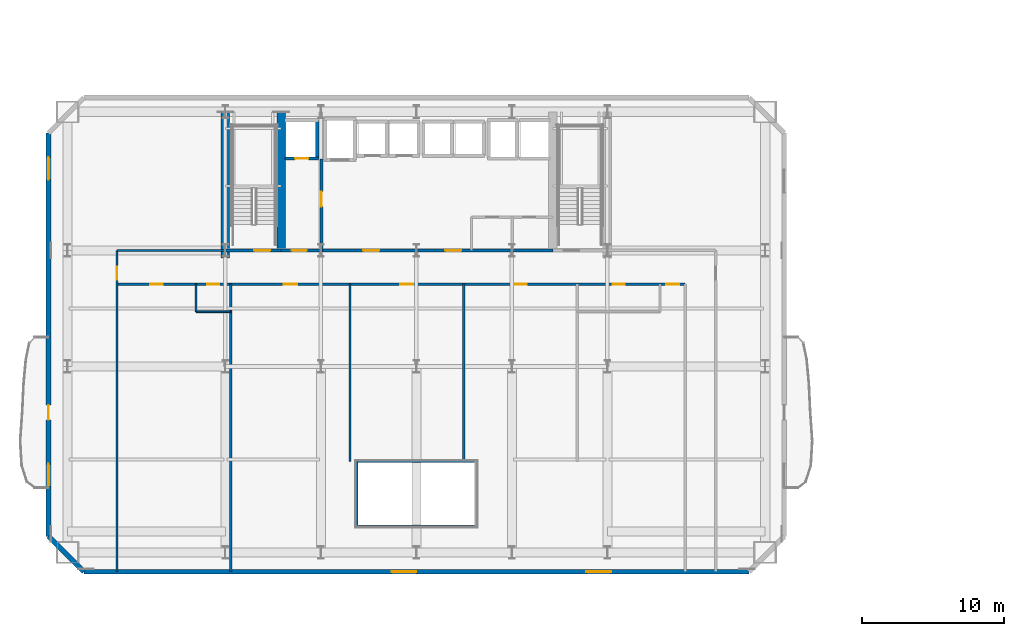
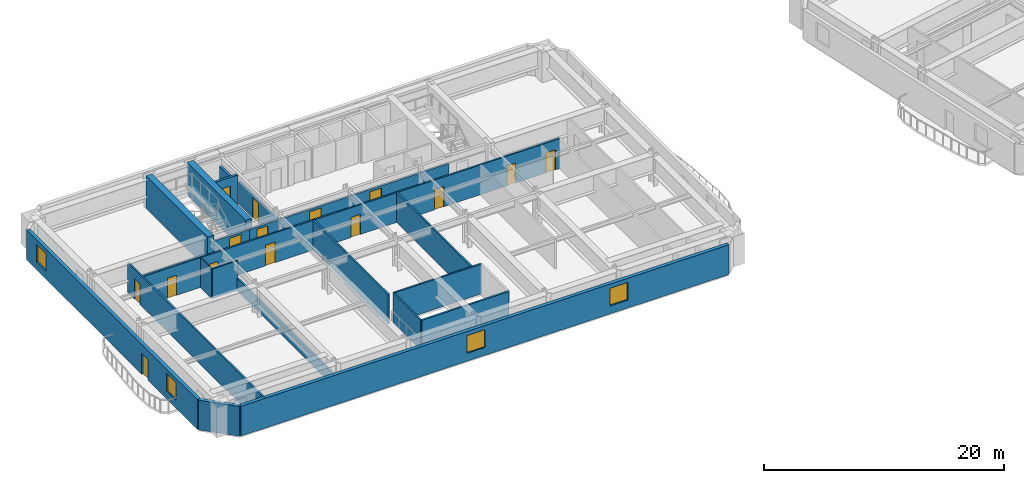
# One storey, part 7 of 18: 22 walls, 15 doors, 4 windows, 19 openings.
"""IFC4 building model written with IfcOpenShell, lengths in metres."""

import ifcopenshell
import ifcopenshell.guid

model = None  # the IFC model being written
_history = None  # IfcOwnerHistory: only IFC2X3 demands one
_inside = {}  # id of a spatial element -> (the spatial element, [elements in it])
_under = {}  # id of a project, library or spatial element -> (it, [spatial elements below it])
_declared = {}  # id of a project -> (the project, [libraries it declares])
_typed = {}  # id of a type object -> (the type object, [elements of that type])
_made_of = {}  # id of a material, layer set ... -> (it, [elements and type objects made of it])


def new_model(schema):
    """Start an empty IFC model of exactly this schema.

    Asked for "IFC4X3", IfcOpenShell would pick the latest addendum, in which some entities
    have other attributes; the version numbers below select the first issue.
    IFC2X3 requires an IfcOwnerHistory on every rooted entity: one is made here for all.
    """
    global model, _history
    if schema == "IFC4X3":
        model = ifcopenshell.file(schema_version=(4, 3, 0, 0))
    else:
        model = ifcopenshell.file(schema=schema)
    _inside.clear()
    _under.clear()
    _declared.clear()
    _typed.clear()
    _made_of.clear()
    _history = None
    if model.schema == "IFC2X3":
        org = make("IfcOrganization", Name="unknown")
        user = make(
            "IfcPersonAndOrganization",
            ThePerson=make("IfcPerson", FamilyName="unknown"),
            TheOrganization=org,
        )
        app = make(
            "IfcApplication",
            ApplicationDeveloper=org,
            Version="unknown",
            ApplicationFullName="unknown",
            ApplicationIdentifier="unknown",
        )
        _history = make(
            "IfcOwnerHistory",
            OwningUser=user,
            OwningApplication=app,
            ChangeAction="ADDED",
            CreationDate=0,
        )
    return model


def make(cls, **values):
    """One entity of the class cls with the attributes given. An attribute that is None is left unset."""
    return model.create_entity(
        cls, **{name: value for name, value in values.items() if value is not None}
    )


def rooted(cls, **values):
    """An entity with a GlobalId (a new one), such as an element, a storey or a relation."""
    return make(cls, GlobalId=ifcopenshell.guid.new(), OwnerHistory=_history, **values)


def si_unit(unit_type, name, prefix=None):
    """IfcSIUnit, for example si_unit("LENGTHUNIT", "METRE", prefix="MILLI")."""
    return make("IfcSIUnit", UnitType=unit_type, Prefix=prefix, Name=name)


def assignment(units):
    """IfcUnitAssignment: the units of a project."""
    return None if units is None else make("IfcUnitAssignment", Units=units)


def point(xyz):
    """IfcCartesianPoint."""
    return None if xyz is None else make("IfcCartesianPoint", Coordinates=xyz)


def direction(xyz):
    """IfcDirection."""
    return None if xyz is None else make("IfcDirection", DirectionRatios=xyz)


def frame(location, z_axis=None, x_axis=None):
    """IfcAxis2Placement3D, a coordinate frame: its origin and axes. An axis left out is left unset."""
    return make(
        "IfcAxis2Placement3D",
        Location=point(location),
        Axis=direction(z_axis),
        RefDirection=direction(x_axis),
    )


def frame_2d(location, x_axis=None):
    """IfcAxis2Placement2D, a coordinate frame in the plane: its origin and x axis."""
    return make(
        "IfcAxis2Placement2D", Location=point(location), RefDirection=direction(x_axis)
    )


def origin():
    """The frame at (0, 0, 0) with its axes left unset."""
    return frame((0.0, 0.0, 0.0))


def place(relative_to, where):
    """IfcLocalPlacement: puts the frame where relative to a parent placement (None: the world)."""
    return make(
        "IfcLocalPlacement", PlacementRelTo=relative_to, RelativePlacement=where
    )


def context(
    kind, dimensions, precision=None, world=None, true_north=None, identifier=None
):
    """IfcGeometricRepresentationContext, for example the 3D "Model" context."""
    return make(
        "IfcGeometricRepresentationContext",
        ContextIdentifier=identifier,
        ContextType=kind,
        CoordinateSpaceDimension=dimensions,
        Precision=precision,
        WorldCoordinateSystem=world,
        TrueNorth=true_north,
    )


def subcontext(parent, identifier, kind, view, scale=None):
    """IfcGeometricRepresentationSubContext, for example "Body" below "Model"."""
    return make(
        "IfcGeometricRepresentationSubContext",
        ContextIdentifier=identifier,
        ContextType=kind,
        ParentContext=parent,
        TargetScale=scale,
        TargetView=view,
    )


def project(units=None, contexts=None):
    """IfcProject with its units and contexts."""
    return rooted(
        "IfcProject",
        Name="project",
        RepresentationContexts=contexts,
        UnitsInContext=assignment(units),
    )


def spatial(cls, under=None, at=None, **own):
    """A site, building, storey or space (cls), placed at a placement, below another one or the project."""
    s = rooted(cls, ObjectPlacement=at, **own)
    if under is not None:
        _under.setdefault(under.id(), (under, []))[1].append(s)
    return s


def profile(cls, at=None, kind="AREA", **sizes):
    """A parametric profile (cls). Its sizes go by their IFC names, for example OverallWidth=200.0."""
    return make(cls, ProfileType=kind, Position=at, **sizes)


def rectangle(**sizes):
    """IfcRectangleProfileDef."""
    return profile("IfcRectangleProfileDef", **sizes)


def extrude(swept, where, along, depth):
    """IfcExtrudedAreaSolid: the profile swept, set in the frame where, extruded along a direction by depth."""
    return make(
        "IfcExtrudedAreaSolid",
        SweptArea=swept,
        Position=where,
        ExtrudedDirection=direction(along),
        Depth=depth,
    )


def shape(context_of_items, identifier, shape_type, items):
    """IfcShapeRepresentation: the items that make up one representation, for example the "Body"."""
    return make(
        "IfcShapeRepresentation",
        ContextOfItems=context_of_items,
        RepresentationIdentifier=identifier,
        RepresentationType=shape_type,
        Items=items,
    )


def material(Name=None, Category=None):
    """IfcMaterial."""
    return make("IfcMaterial", Name=Name, Category=Category)


def layer(
    of_material, thickness, ventilated=None, Name=None, Category=None, Priority=None
):
    """IfcMaterialLayer: one layer of a wall or slab, of a material (None: an air gap)."""
    return make(
        "IfcMaterialLayer",
        Material=of_material,
        LayerThickness=thickness,
        IsVentilated=ventilated,
        Name=Name,
        Category=Category,
        Priority=Priority,
    )


def layer_set(layers, Name=None):
    """IfcMaterialLayerSet."""
    return make("IfcMaterialLayerSet", MaterialLayers=layers, LayerSetName=Name)


def made_of(thing, what):
    """Note that an element or type object is made of a material, layer set ...; save() writes the relation."""
    if what is not None:
        _made_of.setdefault(what.id(), (what, []))[1].append(thing)
    return thing


def type_object(cls, material=None, **own):
    """A type object (cls), such as IfcWallType, which elements share."""
    return made_of(rooted(cls, **own), material)


def element(
    cls,
    number,
    at=None,
    inside=None,
    cuts=None,
    type_object=None,
    material=None,
    context=None,
    identifier="Body",
    shape_type=None,
    held_by="IfcProductDefinitionShape",
    body=None,
    shapes=None,
    **own,
):
    """One element of the class cls, such as IfcWall. Its Tag is "e" and its number.

    at: its placement. inside: the storey or other place that contains it. cuts: it is an
    opening in that element (IfcRelVoidsElement). A single representation is given by context,
    identifier, shape_type and body (its items); several are given by shapes. held_by: the class
    of the entity that holds the representations. save() writes the other relations.
    """
    e = rooted(cls, Tag="e%d" % number, ObjectPlacement=at, **own)
    if body is not None:
        shapes = [shape(context, identifier, shape_type, body)]
    if shapes is not None:
        e.Representation = make(held_by, Representations=shapes)
    if inside is not None:
        _inside.setdefault(inside.id(), (inside, []))[1].append(e)
    if cuts is not None:
        rooted(
            "IfcRelVoidsElement", RelatingBuildingElement=cuts, RelatedOpeningElement=e
        )
    if type_object is not None:
        _typed.setdefault(type_object.id(), (type_object, []))[1].append(e)
    return made_of(e, material)


def fill(opening, filler):
    """IfcRelFillsElement: the door or window that sits in an opening."""
    return rooted(
        "IfcRelFillsElement",
        RelatingOpeningElement=opening,
        RelatedBuildingElement=filler,
    )


def aggregate(whole, parts):
    """IfcRelAggregates: a whole, such as a stair, and the parts it consists of."""
    return rooted("IfcRelAggregates", RelatingObject=whole, RelatedObjects=parts)


def save(model, path):
    """Write the relations noted so far, then the file.

    IfcRelAggregates (storeys below a building ...), IfcRelContainedInSpatialStructure (elements
    in a storey), IfcRelDefinesByType, IfcRelAssociatesMaterial and IfcRelDeclares: one each for
    every whole, place, type object, material and project.
    """
    for whole, parts in _under.values():
        aggregate(whole, parts)
    for where, things in _inside.values():
        rooted(
            "IfcRelContainedInSpatialStructure",
            RelatedElements=things,
            RelatingStructure=where,
        )
    for kind, things in _typed.values():
        rooted("IfcRelDefinesByType", RelatedObjects=things, RelatingType=kind)
    for what, things in _made_of.values():
        rooted("IfcRelAssociatesMaterial", RelatedObjects=things, RelatingMaterial=what)
    for by, libraries in _declared.values():
        rooted("IfcRelDeclares", RelatingContext=by, RelatedDefinitions=libraries)
    model.write(path)


model = new_model("IFC4")

# Units and contexts
model_context = context("Model", 3, precision=1e-05, world=origin(), true_north=direction((0.0, 1.0)))
body_context = subcontext(model_context, "Body", "Model", "MODEL_VIEW")
ifc_project = project(units=[si_unit("LENGTHUNIT", "METRE"), si_unit("AREAUNIT", "SQUARE_METRE"), si_unit("VOLUMEUNIT", "CUBIC_METRE"), si_unit("PLANEANGLEUNIT", "RADIAN"), si_unit("MASSUNIT", "GRAM", prefix="KILO")], contexts=[model_context])

# Site, building, storey
site_placement = place(None, origin())
site = spatial("IfcSite", under=ifc_project, at=site_placement, CompositionType="ELEMENT")
building_placement = place(site_placement, origin())
building = spatial("IfcBuilding", under=site, at=building_placement, Name="Haevon Station Towers", CompositionType="ELEMENT")
storey_placement = place(building_placement, frame((0.0, 0.0, 66.89990234375)))
storey = spatial("IfcBuildingStorey", under=building, at=storey_placement, Name="L17", CompositionType="ELEMENT", Elevation=66.89990234375)

# Walls
ifc_material_1 = material(Name="Gypsum board on steel stud", Category="steel")
ifc_layer_1 = layer(ifc_material_1, 0.179931640625)
ifc_layer_set_1 = layer_set([ifc_layer_1], Name="Gypsum board on steel stud")
wall_type_1 = type_object("IfcWallType", Name="WL-ACU180", PredefinedType="PARTITIONING", material=ifc_layer_set_1)
wall_1_placement = place(storey_placement, frame((33.300048828125, 18.699951171875, 0.0), z_axis=(0.0, 0.0, 1.0), x_axis=(1.0, 0.0, 0.0)))
element("IfcWall", 1, at=wall_1_placement, inside=storey, type_object=wall_type_1, Name="WL-T1PT-L17-06", PredefinedType="PARTITIONING", context=body_context, shape_type="SweptSolid", body=[
    extrude(rectangle(XDim=8.39990234375, YDim=0.179931640625, at=frame_2d((4.199951171875, 0.0))), origin(), (0.0, 0.0, 1.0), 3.030029296875),
])
wall_2_placement = place(storey_placement, frame((24.3798828125, 15.5, 0.0), z_axis=(0.0, 0.0, 1.0), x_axis=(0.0, 1.0, 0.0)))
element("IfcWall", 2, at=wall_2_placement, inside=storey, type_object=wall_type_1, Name="WL-T1PT-L17-12", PredefinedType="PARTITIONING", context=body_context, shape_type="SweptSolid", body=[
    extrude(rectangle(XDim=20.320068359375, YDim=0.179931640625, at=frame_2d((10.16015625, 0.0))), origin(), (0.0, 0.0, 1.0), 1.22998046875),
])

# Wall, opening, door
ifc_layer_2 = layer(ifc_material_1, 0.199951171875)
ifc_layer_set_2 = layer_set([ifc_layer_2], Name="Gypsum board on steel stud")
wall_type_2 = type_object("IfcWallType", Name="WL-COR200", PredefinedType="PARTITIONING", material=ifc_layer_set_2)
wall_3_placement = place(storey_placement, frame((24.0, 38.199951171875, 0.0), z_axis=(0.0, 0.0, 1.0), x_axis=(1.0, 0.0, 0.0)))
wall_3 = element("IfcWall", 3, at=wall_3_placement, inside=storey, type_object=wall_type_2, Name="WL-ST-ST1-L17", PredefinedType="PARTITIONING", context=body_context, shape_type="SweptSolid", body=[
    extrude(rectangle(XDim=3.949951171875, YDim=0.199951171875, at=frame_2d((1.97509765625, 0.0))), origin(), (0.0, 0.0, 1.0), 2.330078125),
])
opening_1_placement = place(wall_3_placement, frame((2.050048828125, 0.0, 0.0)))
opening_1 = element("IfcOpeningElement", 4, at=opening_1_placement, cuts=wall_3, Name="Opening DR-ST-ST1-L17", PredefinedType="OPENING", context=body_context, shape_type="SweptSolid", body=[
    extrude(rectangle(XDim=1.1201171875, YDim=2.10009765625, at=frame_2d((0.56005859375, 1.050048828125))), frame((0.0, 0.10986328125, 0.0), z_axis=(0.0, -1.0, 0.0), x_axis=(1.0, 0.0, 0.0)), (0.0, 0.0, 1.0), 0.219970703125),
])
ifc_material_2 = material(Name="Engineered oak timber", Category="wood")
door_type_1 = type_object("IfcDoorType", Name="DR-ST-1120", OperationType="NOTDEFINED", PredefinedType="DOOR", material=ifc_material_2)
door_1_placement = place(opening_1_placement, origin())
door_1 = element("IfcDoor", 5, at=door_1_placement, inside=storey, type_object=door_type_1, Name="L17 Escape Stair ST1 Fire Door", OperationType="SINGLE_SWING_LEFT", OverallHeight=2.10009765625, OverallWidth=1.1201171875, PredefinedType="DOOR", context=body_context, shape_type="SweptSolid", body=[
    extrude(rectangle(XDim=1.1201171875, YDim=2.10009765625, at=frame_2d((0.56005859375, 1.050048828125))), frame((0.0, 0.02490234375, 0.0), z_axis=(0.0, -1.0, 0.0), x_axis=(1.0, 0.0, 0.0)), (0.0, 0.0, 1.0), 0.050048828125),
])
fill(opening_1, door_1)

wall_4_placement = place(storey_placement, frame((30.800048828125, 38.199951171875, 0.0), z_axis=(0.0, 0.0, 1.0), x_axis=(0.0, 1.0, 0.0)))
wall_4 = element("IfcWall", 6, at=wall_4_placement, inside=storey, type_object=wall_type_2, Name="WL-T1FFL-L17-E", PredefinedType="PARTITIONING", context=body_context, shape_type="SweptSolid", body=[
    extrude(rectangle(XDim=6.449951171875, YDim=0.199951171875, at=frame_2d((3.22509765625, 0.0))), origin(), (0.0, 0.0, 1.0), 2.330078125),
])
opening_2_placement = place(wall_4_placement, frame((3.10009765625, 0.0, 0.0)))
opening_2 = element("IfcOpeningElement", 7, at=opening_2_placement, cuts=wall_4, Name="Opening DR-T1FFL-L17-E", PredefinedType="OPENING", context=body_context, shape_type="SweptSolid", body=[
    extrude(rectangle(XDim=1.050048828125, YDim=2.10009765625, at=frame_2d((0.52490234375, 1.050048828125))), frame((0.0, 0.10986328125, 0.0), z_axis=(0.0, -1.0, 0.0), x_axis=(1.0, 0.0, 0.0)), (0.0, 0.0, 1.0), 0.219970703125),
])
door_type_2 = type_object("IfcDoorType", Name="DR-FD60-1050", OperationType="NOTDEFINED", PredefinedType="DOOR", material=ifc_material_2)
door_2_placement = place(opening_2_placement, origin())
door_2 = element("IfcDoor", 8, at=door_2_placement, inside=storey, type_object=door_type_2, Name="L17 Tower 1 Firefighting Lift Lobby Door E", OperationType="SINGLE_SWING_LEFT", OverallHeight=2.10009765625, OverallWidth=1.050048828125, PredefinedType="DOOR", context=body_context, shape_type="SweptSolid", body=[
    extrude(rectangle(XDim=1.050048828125, YDim=2.10009765625, at=frame_2d((0.52490234375, 1.050048828125))), frame((0.0, 0.02490234375, 0.0), z_axis=(0.0, -1.0, 0.0), x_axis=(1.0, 0.0, 0.0)), (0.0, 0.0, 1.0), 0.050048828125),
])
fill(opening_2, door_2)

wall_5_placement = place(storey_placement, frame((27.949951171875, 38.199951171875, 0.0), z_axis=(0.0, 0.0, 1.0), x_axis=(1.0, 0.0, 0.0)))
wall_5 = element("IfcWall", 9, at=wall_5_placement, inside=storey, type_object=wall_type_2, Name="WL-T1FFL-L17-S", PredefinedType="PARTITIONING", context=body_context, shape_type="SweptSolid", body=[
    extrude(rectangle(XDim=2.85009765625, YDim=0.199951171875, at=frame_2d((1.425048828125, 0.0))), origin(), (0.0, 0.0, 1.0), 2.330078125),
])
opening_3_placement = place(wall_5_placement, frame((0.75, 0.0, 0.0)))
opening_3 = element("IfcOpeningElement", 10, at=opening_3_placement, cuts=wall_5, Name="Opening DR-T1FFL-L17-S", PredefinedType="OPENING", context=body_context, shape_type="SweptSolid", body=[
    extrude(rectangle(XDim=1.050048828125, YDim=2.10009765625, at=frame_2d((0.52490234375, 1.050048828125))), frame((0.0, 0.10986328125, 0.0), z_axis=(0.0, -1.0, 0.0), x_axis=(1.0, 0.0, 0.0)), (0.0, 0.0, 1.0), 0.219970703125),
])
door_3_placement = place(opening_3_placement, origin())
door_3 = element("IfcDoor", 11, at=door_3_placement, inside=storey, type_object=door_type_2, Name="L17 Tower 1 Firefighting Lift Lobby Door S", OperationType="SINGLE_SWING_RIGHT", OverallHeight=2.10009765625, OverallWidth=1.050048828125, PredefinedType="DOOR", context=body_context, shape_type="SweptSolid", body=[
    extrude(rectangle(XDim=1.050048828125, YDim=2.10009765625, at=frame_2d((0.52490234375, 1.050048828125))), frame((0.0, 0.02490234375, 0.0), z_axis=(0.0, -1.0, 0.0), x_axis=(1.0, 0.0, 0.0)), (0.0, 0.0, 1.0), 0.050048828125),
])
fill(opening_3, door_3)

# Wall, openings, doors
wall_6_placement = place(storey_placement, frame((30.800048828125, 38.199951171875, 0.0), z_axis=(0.0, 0.0, 1.0), x_axis=(1.0, 0.0, 0.0)))
wall_6 = element("IfcWall", 12, at=wall_6_placement, inside=storey, type_object=wall_type_2, Name="WL-T1CLB-L17", PredefinedType="PARTITIONING", context=body_context, shape_type="SweptSolid", body=[
    extrude(rectangle(XDim=16.349853515625, YDim=0.199951171875, at=frame_2d((8.1748046875, 0.0))), origin(), (0.0, 0.0, 1.0), 2.330078125),
])
opening_4_placement = place(wall_6_placement, frame((2.949951171875, 0.0, 0.0)))
opening_4 = element("IfcOpeningElement", 13, at=opening_4_placement, cuts=wall_6, Name="Opening DR-T1CLB-L17-1", PredefinedType="OPENING", context=body_context, shape_type="SweptSolid", body=[
    extrude(rectangle(XDim=1.1201171875, YDim=2.10009765625, at=frame_2d((0.56005859375, 1.050048828125))), frame((0.0, 0.10986328125, 0.0), z_axis=(0.0, -1.0, 0.0), x_axis=(1.0, 0.0, 0.0)), (0.0, 0.0, 1.0), 0.219970703125),
])
opening_5_placement = place(wall_6_placement, frame((8.75, 0.0, 0.0)))
opening_5 = element("IfcOpeningElement", 14, at=opening_5_placement, cuts=wall_6, Name="Opening DR-T1CLB-L17-2", PredefinedType="OPENING", context=body_context, shape_type="SweptSolid", body=[
    extrude(rectangle(XDim=1.1201171875, YDim=2.10009765625, at=frame_2d((0.56005859375, 1.050048828125))), frame((0.0, 0.10986328125, 0.0), z_axis=(0.0, -1.0, 0.0), x_axis=(1.0, 0.0, 0.0)), (0.0, 0.0, 1.0), 0.219970703125),
])
door_4_placement = place(opening_4_placement, origin())
door_4 = element("IfcDoor", 15, at=door_4_placement, inside=storey, type_object=door_type_1, Name="L17 Tower 1 Core Lift Lobby Door 1", OperationType="SINGLE_SWING_LEFT", OverallHeight=2.10009765625, OverallWidth=1.1201171875, PredefinedType="DOOR", context=body_context, shape_type="SweptSolid", body=[
    extrude(rectangle(XDim=1.1201171875, YDim=2.10009765625, at=frame_2d((0.56005859375, 1.050048828125))), frame((0.0, 0.02490234375, 0.0), z_axis=(0.0, -1.0, 0.0), x_axis=(1.0, 0.0, 0.0)), (0.0, 0.0, 1.0), 0.050048828125),
])
fill(opening_4, door_4)
door_5_placement = place(opening_5_placement, origin())
door_5 = element("IfcDoor", 16, at=door_5_placement, inside=storey, type_object=door_type_1, Name="L17 Tower 1 Core Lift Lobby Door 2", OperationType="SINGLE_SWING_RIGHT", OverallHeight=2.10009765625, OverallWidth=1.1201171875, PredefinedType="DOOR", context=body_context, shape_type="SweptSolid", body=[
    extrude(rectangle(XDim=1.1201171875, YDim=2.10009765625, at=frame_2d((0.56005859375, 1.050048828125))), frame((0.0, 0.02490234375, 0.0), z_axis=(0.0, -1.0, 0.0), x_axis=(1.0, 0.0, 0.0)), (0.0, 0.0, 1.0), 0.050048828125),
])
fill(opening_5, door_5)

# Walls
ifc_material_3 = material(Name="Concrete C60/75", Category="concrete")
ifc_layer_3 = layer(ifc_material_3, 0.60009765625)
ifc_layer_set_3 = layer_set([ifc_layer_3], Name="Concrete C60/75")
wall_type_3 = type_object("IfcWallType", Name="WL-CR600", PredefinedType="SHEAR", material=ifc_layer_set_3)
wall_7_placement = place(storey_placement, frame((24.0, 37.679931640625, 0.0), z_axis=(0.0, 0.0, 1.0), x_axis=(0.0, 1.0, 0.0)))
element("IfcWall", 17, at=wall_7_placement, inside=storey, type_object=wall_type_3, Name="WL-T1CR-L17-W", PredefinedType="SHEAR", context=body_context, shape_type="SweptSolid", body=[
    extrude(rectangle(XDim=10.320068359375, YDim=0.60009765625, at=frame_2d((5.16015625, 0.0))), origin(), (0.0, 0.0, 1.0), 3.300048828125),
])
wall_8_placement = place(storey_placement, frame((27.949951171875, 38.199951171875, 0.0), z_axis=(0.0, 0.0, 1.0), x_axis=(0.0, 1.0, 0.0)))
element("IfcWall", 18, at=wall_8_placement, inside=storey, type_object=wall_type_3, Name="WL-T1CR-L17-M1", PredefinedType="SHEAR", context=body_context, shape_type="SweptSolid", body=[
    extrude(rectangle(XDim=9.800048828125, YDim=0.60009765625, at=frame_2d((4.89990234375, 0.0))), origin(), (0.0, 0.0, 1.0), 3.300048828125),
])

# Wall, openings, windows
ifc_material_4 = material(Name="Precast concrete C45/55", Category="concrete")
ifc_layer_4 = layer(ifc_material_4, 0.340087890625)
ifc_layer_set_4 = layer_set([ifc_layer_4], Name="Precast concrete C45/55")
wall_type_4 = type_object("IfcWallType", Name="WL-EXT-PIER340", PredefinedType="SOLIDWALL", material=ifc_layer_set_4)
wall_9_placement = place(storey_placement, frame((61.0, 15.5, 0.0), z_axis=(0.0, 0.0, 1.0), x_axis=(-1.0, 0.0, 0.0)))
wall_9 = element("IfcWall", 19, at=wall_9_placement, inside=storey, type_object=wall_type_4, Name="WL-T1-L17-S", PredefinedType="SOLIDWALL", context=body_context, shape_type="SweptSolid", body=[
    extrude(rectangle(XDim=47.0, YDim=0.340087890625, at=frame_2d((23.5, 0.0))), origin(), (0.0, 0.0, 1.0), 3.030029296875),
])
opening_6_placement = place(wall_9_placement, frame((23.499267578125, 0.0, 0.800048828125)))
opening_6 = element("IfcOpeningElement", 20, at=opening_6_placement, cuts=wall_9, Name="Opening WN-P175", PredefinedType="OPENING", context=body_context, shape_type="SweptSolid", body=[
    extrude(rectangle(XDim=1.75, YDim=1.800048828125, at=frame_2d((0.875, 0.89990234375))), frame((0.0, 0.179931640625, 0.0), z_axis=(0.0, -1.0, 0.0), x_axis=(1.0, 0.0, 0.0)), (0.0, 0.0, 1.0), 0.360107421875),
])
opening_7_placement = place(wall_9_placement, frame((9.74267578125, 0.0, 0.800048828125)))
opening_7 = element("IfcOpeningElement", 21, at=opening_7_placement, cuts=wall_9, Name="Opening WN-P175", PredefinedType="OPENING", context=body_context, shape_type="SweptSolid", body=[
    extrude(rectangle(XDim=1.75, YDim=1.800048828125, at=frame_2d((0.875, 0.89990234375))), frame((0.0, 0.179931640625, 0.0), z_axis=(0.0, -1.0, 0.0), x_axis=(1.0, 0.0, 0.0)), (0.0, 0.0, 1.0), 0.360107421875),
])
ifc_material_5 = material(Name="Low-E triple glazing in thermally broken aluminium", Category="aluminium")
window_type_1 = type_object("IfcWindowType", Name="WN-P175", PartitioningType="SINGLE_PANEL", PredefinedType="WINDOW", material=ifc_material_5)
window_1_placement = place(opening_6_placement, origin())
window_1 = element("IfcWindow", 22, at=window_1_placement, inside=storey, type_object=window_type_1, Name="WN-T1-L17-S01", OverallHeight=1.800048828125, OverallWidth=1.75, PartitioningType="SINGLE_PANEL", PredefinedType="WINDOW", context=body_context, shape_type="SweptSolid", body=[
    extrude(rectangle(XDim=1.75, YDim=1.800048828125, at=frame_2d((0.875, 0.89990234375))), frame((0.0, 0.030029296875, 0.0), z_axis=(0.0, -1.0, 0.0), x_axis=(1.0, 0.0, 0.0)), (0.0, 0.0, 1.0), 0.06005859375),
])
fill(opening_6, window_1)
window_2_placement = place(opening_7_placement, origin())
window_2 = element("IfcWindow", 23, at=window_2_placement, inside=storey, type_object=window_type_1, Name="WN-T1-L17-S02", OverallHeight=1.800048828125, OverallWidth=1.75, PartitioningType="SINGLE_PANEL", PredefinedType="WINDOW", context=body_context, shape_type="SweptSolid", body=[
    extrude(rectangle(XDim=1.75, YDim=1.800048828125, at=frame_2d((0.875, 0.89990234375))), frame((0.0, 0.030029296875, 0.0), z_axis=(0.0, -1.0, 0.0), x_axis=(1.0, 0.0, 0.0)), (0.0, 0.0, 1.0), 0.06005859375),
])
fill(opening_7, window_2)

# Wall
wall_10_placement = place(storey_placement, frame((14.0, 15.5, 0.0), z_axis=(0.0, 0.0, 1.0), x_axis=(-0.707106781187, 0.707106781187, 0.0)))
element("IfcWall", 24, at=wall_10_placement, inside=storey, type_object=wall_type_4, Name="WL-T1-L17-SWC", PredefinedType="SOLIDWALL", context=body_context, shape_type="SweptSolid", body=[
    extrude(rectangle(XDim=3.53564453125, YDim=0.340087890625, at=frame_2d((1.767822265625, 0.0))), origin(), (0.0, 0.0, 1.0), 3.030029296875),
])

# Wall, openings, door, windows
wall_11_placement = place(storey_placement, frame((11.5, 18.0, 0.0), z_axis=(0.0, 0.0, 1.0), x_axis=(0.0, 1.0, 0.0)))
wall_11 = element("IfcWall", 25, at=wall_11_placement, inside=storey, type_object=wall_type_4, Name="WL-T1-L17-W", PredefinedType="SOLIDWALL", context=body_context, shape_type="SweptSolid", body=[
    extrude(rectangle(XDim=28.5, YDim=0.340087890625, at=frame_2d((14.25, 0.0))), origin(), (0.0, 0.0, 1.0), 3.030029296875),
])
opening_8_placement = place(wall_11_placement, frame((8.22509765625, 0.0, 0.0)))
opening_8 = element("IfcOpeningElement", 26, at=opening_8_placement, cuts=wall_11, Name="Opening DR-T1-SCAL-L17-W", PredefinedType="OPENING", context=body_context, shape_type="SweptSolid", body=[
    extrude(rectangle(XDim=1.050048828125, YDim=2.10009765625, at=frame_2d((0.52490234375, 1.050048828125))), frame((0.0, 0.179931640625, 0.0), z_axis=(0.0, -1.0, 0.0), x_axis=(1.0, 0.0, 0.0)), (0.0, 0.0, 1.0), 0.360107421875),
])
opening_9_placement = place(wall_11_placement, frame((3.5107421875, 0.0, 0.800048828125)))
opening_9 = element("IfcOpeningElement", 27, at=opening_9_placement, cuts=wall_11, Name="Opening WN-END160", PredefinedType="OPENING", context=body_context, shape_type="SweptSolid", body=[
    extrude(rectangle(XDim=1.60009765625, YDim=1.800048828125, at=frame_2d((0.800048828125, 0.89990234375))), frame((0.0, 0.179931640625, 0.0), z_axis=(0.0, -1.0, 0.0), x_axis=(1.0, 0.0, 0.0)), (0.0, 0.0, 1.0), 0.360107421875),
])
opening_10_placement = place(wall_11_placement, frame((25.1962890625, 0.0, 0.800048828125)))
opening_10 = element("IfcOpeningElement", 28, at=opening_10_placement, cuts=wall_11, Name="Opening WN-END160", PredefinedType="OPENING", context=body_context, shape_type="SweptSolid", body=[
    extrude(rectangle(XDim=1.60009765625, YDim=1.800048828125, at=frame_2d((0.800048828125, 0.89990234375))), frame((0.0, 0.179931640625, 0.0), z_axis=(0.0, -1.0, 0.0), x_axis=(1.0, 0.0, 0.0)), (0.0, 0.0, 1.0), 0.360107421875),
])
ifc_material_6 = material(Name="Thermally broken anodised aluminium and laminated safety glass", Category="aluminium")
door_type_3 = type_object("IfcDoorType", Name="DR-BALC-1050", OperationType="NOTDEFINED", PredefinedType="DOOR", material=ifc_material_6)
door_6_placement = place(opening_8_placement, origin())
door_6 = element("IfcDoor", 29, at=door_6_placement, inside=storey, type_object=door_type_3, Name="Tower 1 L17 West Scalloped Balcony Door", OperationType="SINGLE_SWING_LEFT", OverallHeight=2.10009765625, OverallWidth=1.050048828125, PredefinedType="DOOR", context=body_context, shape_type="SweptSolid", body=[
    extrude(rectangle(XDim=1.050048828125, YDim=2.10009765625, at=frame_2d((0.52490234375, 1.050048828125))), frame((0.0, 0.02490234375, 0.0), z_axis=(0.0, -1.0, 0.0), x_axis=(1.0, 0.0, 0.0)), (0.0, 0.0, 1.0), 0.050048828125),
])
fill(opening_8, door_6)
window_type_2 = type_object("IfcWindowType", Name="WN-END160", PartitioningType="SINGLE_PANEL", PredefinedType="WINDOW", material=ifc_material_5)
window_3_placement = place(opening_9_placement, origin())
window_3 = element("IfcWindow", 30, at=window_3_placement, inside=storey, type_object=window_type_2, Name="WN-T1-L17-W01", OverallHeight=1.800048828125, OverallWidth=1.60009765625, PartitioningType="SINGLE_PANEL", PredefinedType="WINDOW", context=body_context, shape_type="SweptSolid", body=[
    extrude(rectangle(XDim=1.60009765625, YDim=1.800048828125, at=frame_2d((0.800048828125, 0.89990234375))), frame((0.0, 0.030029296875, 0.0), z_axis=(0.0, -1.0, 0.0), x_axis=(1.0, 0.0, 0.0)), (0.0, 0.0, 1.0), 0.06005859375),
])
fill(opening_9, window_3)
window_4_placement = place(opening_10_placement, origin())
window_4 = element("IfcWindow", 31, at=window_4_placement, inside=storey, type_object=window_type_2, Name="WN-T1-L17-W02", OverallHeight=1.800048828125, OverallWidth=1.60009765625, PartitioningType="SINGLE_PANEL", PredefinedType="WINDOW", context=body_context, shape_type="SweptSolid", body=[
    extrude(rectangle(XDim=1.60009765625, YDim=1.800048828125, at=frame_2d((0.800048828125, 0.89990234375))), frame((0.0, 0.030029296875, 0.0), z_axis=(0.0, -1.0, 0.0), x_axis=(1.0, 0.0, 0.0)), (0.0, 0.0, 1.0), 0.06005859375),
])
fill(opening_10, window_4)

# Walls
ifc_layer_5 = layer(ifc_material_1, 0.125)
ifc_layer_set_5 = layer_set([ifc_layer_5], Name="Gypsum board on steel stud")
wall_type_5 = type_object("IfcWallType", Name="WL-PRT125", PredefinedType="PARTITIONING", material=ifc_layer_set_5)
wall_12_placement = place(storey_placement, frame((21.929931640625, 33.8701171875, 0.0), z_axis=(0.0, 0.0, 1.0), x_axis=(1.0, 0.0, 0.0)))
element("IfcWall", 32, at=wall_12_placement, inside=storey, type_object=wall_type_5, Name="WL-T1PT-L17-10", PredefinedType="PARTITIONING", context=body_context, shape_type="SweptSolid", body=[
    extrude(rectangle(XDim=2.449951171875, YDim=0.125, at=frame_2d((1.22509765625, 0.0))), origin(), (0.0, 0.0, 1.0), 3.030029296875),
])
wall_13_placement = place(storey_placement, frame((21.929931640625, 33.8701171875, 0.0), z_axis=(0.0, 0.0, 1.0), x_axis=(0.0, 1.0, 0.0)))
element("IfcWall", 33, at=wall_13_placement, inside=storey, type_object=wall_type_5, Name="WL-T1PT-L17-11", PredefinedType="PARTITIONING", context=body_context, shape_type="SweptSolid", body=[
    extrude(rectangle(XDim=1.949951171875, YDim=0.125, at=frame_2d((0.97509765625, 0.0))), origin(), (0.0, 0.0, 1.0), 3.030029296875),
])
ifc_layer_6 = layer(ifc_material_1, 0.159912109375)
ifc_layer_set_6 = layer_set([ifc_layer_6], Name="Gypsum board on steel stud")
wall_type_6 = type_object("IfcWallType", Name="WL-PRT160", PredefinedType="PARTITIONING", material=ifc_layer_set_6)
wall_14_placement = place(storey_placement, frame((16.35009765625, 38.199951171875, 0.0), z_axis=(0.0, 0.0, 1.0), x_axis=(1.0, 0.0, 0.0)))
element("IfcWall", 34, at=wall_14_placement, inside=storey, type_object=wall_type_6, Name="WL-T1PT-L17-02", PredefinedType="PARTITIONING", context=body_context, shape_type="SweptSolid", body=[
    extrude(rectangle(XDim=7.64990234375, YDim=0.159912109375, at=frame_2d((3.824951171875, 0.0))), origin(), (0.0, 0.0, 1.0), 1.22998046875),
])

# Wall, opening, door
wall_15_placement = place(storey_placement, frame((16.35009765625, 15.5, 0.0), z_axis=(0.0, 0.0, 1.0), x_axis=(0.0, 1.0, 0.0)))
wall_15 = element("IfcWall", 35, at=wall_15_placement, inside=storey, type_object=wall_type_6, Name="WL-T1PT-L17-04", PredefinedType="PARTITIONING", context=body_context, shape_type="SweptSolid", body=[
    extrude(rectangle(XDim=22.699951171875, YDim=0.159912109375, at=frame_2d((11.35009765625, 0.0))), origin(), (0.0, 0.0, 1.0), 3.030029296875),
])
opening_11_placement = place(wall_15_placement, frame((20.639892578125, 0.0, 0.0)))
opening_11 = element("IfcOpeningElement", 36, at=opening_11_placement, cuts=wall_15, Name="Opening DR-WL-T1PT-L17-04-01", PredefinedType="OPENING", context=body_context, shape_type="SweptSolid", body=[
    extrude(rectangle(XDim=0.89990234375, YDim=2.050048828125, at=frame_2d((0.449951171875, 1.02490234375))), frame((0.0, 0.08984375, 0.0), z_axis=(0.0, -1.0, 0.0), x_axis=(1.0, 0.0, 0.0)), (0.0, 0.0, 1.0), 0.179931640625),
])
door_type_4 = type_object("IfcDoorType", Name="DR-INT-900", OperationType="NOTDEFINED", PredefinedType="DOOR", material=ifc_material_2)
door_7_placement = place(opening_11_placement, origin())
door_7 = element("IfcDoor", 37, at=door_7_placement, inside=storey, type_object=door_type_4, Name="L17 Tower 1 Room Door 4-1", OperationType="SINGLE_SWING_RIGHT", OverallHeight=2.050048828125, OverallWidth=0.89990234375, PredefinedType="DOOR", context=body_context, shape_type="SweptSolid", body=[
    extrude(rectangle(XDim=0.89990234375, YDim=2.050048828125, at=frame_2d((0.449951171875, 1.02490234375))), frame((0.0, 0.02490234375, 0.0), z_axis=(0.0, -1.0, 0.0), x_axis=(1.0, 0.0, 0.0)), (0.0, 0.0, 1.0), 0.050048828125),
])
fill(opening_11, door_7)

# Walls
wall_16_placement = place(storey_placement, frame((33.300048828125, 23.300048828125, 0.0), z_axis=(0.0, 0.0, 1.0), x_axis=(1.0, 0.0, 0.0)))
element("IfcWall", 38, at=wall_16_placement, inside=storey, type_object=wall_type_6, Name="WL-T1PT-L17-07", PredefinedType="PARTITIONING", context=body_context, shape_type="SweptSolid", body=[
    extrude(rectangle(XDim=8.39990234375, YDim=0.159912109375, at=frame_2d((4.199951171875, 0.0))), origin(), (0.0, 0.0, 1.0), 3.030029296875),
])
wall_17_placement = place(storey_placement, frame((33.300048828125, 18.699951171875, 0.0), z_axis=(0.0, 0.0, 1.0), x_axis=(0.0, 1.0, 0.0)))
element("IfcWall", 39, at=wall_17_placement, inside=storey, type_object=wall_type_6, Name="WL-T1PT-L17-08", PredefinedType="PARTITIONING", context=body_context, shape_type="SweptSolid", body=[
    extrude(rectangle(XDim=4.60009765625, YDim=0.159912109375, at=frame_2d((2.300048828125, 0.0))), origin(), (0.0, 0.0, 1.0), 3.030029296875),
])
for number, where, z_axis, x_axis, name in (
    (40, (32.8115234375, 23.300048828125, 0.0), (0.0, 0.0, 1.0), (0.0, 1.0, 0.0), "WL-T1PT-L17-13"),
    (41, (40.841552734375, 23.300048828125, 0.0), (0.0, 0.0, 1.0), (0.0, 1.0, 0.0), "WL-T1PT-L17-14"),
):
    element("IfcWall", number, at=place(storey_placement, frame(where, z_axis=z_axis, x_axis=x_axis)), inside=storey, type_object=wall_type_6, Name=name, PredefinedType="PARTITIONING", context=body_context, shape_type="SweptSolid", body=[
        extrude(rectangle(XDim=12.52001953125, YDim=0.159912109375, at=frame_2d((6.260009765625, 0.0))), origin(), (0.0, 0.0, 1.0), 3.030029296875),
    ])

# Wall, openings, doors
wall_18_placement = place(storey_placement, frame((16.35009765625, 35.820068359375, 0.0), z_axis=(0.0, 0.0, 1.0), x_axis=(1.0, 0.0, 0.0)))
wall_18 = element("IfcWall", 42, at=wall_18_placement, inside=storey, type_object=wall_type_6, Name="WL-T1PT-L17-20", PredefinedType="PARTITIONING", context=body_context, shape_type="SweptSolid", body=[
    extrude(rectangle(XDim=40.14990234375, YDim=0.159912109375, at=frame_2d((20.074951171875, 0.0))), origin(), (0.0, 0.0, 1.0), 3.030029296875),
])
opening_12_placement = place(wall_18_placement, frame((6.3798828125, 0.0, 0.0)))
opening_12 = element("IfcOpeningElement", 43, at=opening_12_placement, cuts=wall_18, Name="Opening DR-WL-T1PT-L17-20-01", PredefinedType="OPENING", context=body_context, shape_type="SweptSolid", body=[
    extrude(rectangle(XDim=0.85009765625, YDim=2.050048828125, at=frame_2d((0.425048828125, 1.02490234375))), frame((0.0, 0.08984375, 0.0), z_axis=(0.0, -1.0, 0.0), x_axis=(1.0, 0.0, 0.0)), (0.0, 0.0, 1.0), 0.179931640625),
])
opening_13_placement = place(wall_18_placement, frame((2.340087890625, 0.0, 0.0)))
opening_13 = element("IfcOpeningElement", 44, at=opening_13_placement, cuts=wall_18, Name="Opening DR-WL-T1PT-L17-20-02", PredefinedType="OPENING", context=body_context, shape_type="SweptSolid", body=[
    extrude(rectangle(XDim=0.89990234375, YDim=2.050048828125, at=frame_2d((0.449951171875, 1.02490234375))), frame((0.0, 0.08984375, 0.0), z_axis=(0.0, -1.0, 0.0), x_axis=(1.0, 0.0, 0.0)), (0.0, 0.0, 1.0), 0.179931640625),
])
opening_14_placement = place(wall_18_placement, frame((11.77099609375, 0.0, 0.0)))
opening_14 = element("IfcOpeningElement", 45, at=opening_14_placement, cuts=wall_18, Name="Opening DR-WL-T1PT-L17-20-03", PredefinedType="OPENING", context=body_context, shape_type="SweptSolid", body=[
    extrude(rectangle(XDim=0.949951171875, YDim=2.10009765625, at=frame_2d((0.47509765625, 1.050048828125))), frame((0.0, 0.08984375, 0.0), z_axis=(0.0, -1.0, 0.0), x_axis=(1.0, 0.0, 0.0)), (0.0, 0.0, 1.0), 0.179931640625),
])
opening_15_placement = place(wall_18_placement, frame((20.027099609375, 0.0, 0.0)))
opening_15 = element("IfcOpeningElement", 46, at=opening_15_placement, cuts=wall_18, Name="Opening DR-WL-T1PT-L17-20-04", PredefinedType="OPENING", context=body_context, shape_type="SweptSolid", body=[
    extrude(rectangle(XDim=0.89990234375, YDim=2.050048828125, at=frame_2d((0.449951171875, 1.02490234375))), frame((0.0, 0.08984375, 0.0), z_axis=(0.0, -1.0, 0.0), x_axis=(1.0, 0.0, 0.0)), (0.0, 0.0, 1.0), 0.179931640625),
])
opening_16_placement = place(wall_18_placement, frame((28.055908203125, 0.0, 0.0)))
opening_16 = element("IfcOpeningElement", 47, at=opening_16_placement, cuts=wall_18, Name="Opening DR-WL-T1PT-L17-20-05", PredefinedType="OPENING", context=body_context, shape_type="SweptSolid", body=[
    extrude(rectangle(XDim=0.89990234375, YDim=2.050048828125, at=frame_2d((0.449951171875, 1.02490234375))), frame((0.0, 0.08984375, 0.0), z_axis=(0.0, -1.0, 0.0), x_axis=(1.0, 0.0, 0.0)), (0.0, 0.0, 1.0), 0.179931640625),
])
opening_17_placement = place(wall_18_placement, frame((35.02099609375, 0.0, 0.0)))
opening_17 = element("IfcOpeningElement", 48, at=opening_17_placement, cuts=wall_18, Name="Opening DR-WL-T1PT-L17-20-06", PredefinedType="OPENING", context=body_context, shape_type="SweptSolid", body=[
    extrude(rectangle(XDim=0.85009765625, YDim=2.050048828125, at=frame_2d((0.425048828125, 1.02490234375))), frame((0.0, 0.08984375, 0.0), z_axis=(0.0, -1.0, 0.0), x_axis=(1.0, 0.0, 0.0)), (0.0, 0.0, 1.0), 0.179931640625),
])
opening_18_placement = place(wall_18_placement, frame((38.81005859375, 0.0, 0.0)))
opening_18 = element("IfcOpeningElement", 49, at=opening_18_placement, cuts=wall_18, Name="Opening DR-WL-T1PT-L17-20-07", PredefinedType="OPENING", context=body_context, shape_type="SweptSolid", body=[
    extrude(rectangle(XDim=0.89990234375, YDim=2.050048828125, at=frame_2d((0.449951171875, 1.02490234375))), frame((0.0, 0.08984375, 0.0), z_axis=(0.0, -1.0, 0.0), x_axis=(1.0, 0.0, 0.0)), (0.0, 0.0, 1.0), 0.179931640625),
])
door_type_5 = type_object("IfcDoorType", Name="DR-FD30-850", OperationType="NOTDEFINED", PredefinedType="DOOR", material=ifc_material_2)
door_8_placement = place(opening_12_placement, origin())
door_8 = element("IfcDoor", 50, at=door_8_placement, inside=storey, type_object=door_type_5, Name="L17 Tower 1 Room Door 20-1", OperationType="SINGLE_SWING_RIGHT", OverallHeight=2.050048828125, OverallWidth=0.85009765625, PredefinedType="DOOR", context=body_context, shape_type="SweptSolid", body=[
    extrude(rectangle(XDim=0.85009765625, YDim=2.050048828125, at=frame_2d((0.425048828125, 1.02490234375))), frame((0.0, 0.02490234375, 0.0), z_axis=(0.0, -1.0, 0.0), x_axis=(1.0, 0.0, 0.0)), (0.0, 0.0, 1.0), 0.050048828125),
])
fill(opening_12, door_8)
door_9_placement = place(opening_17_placement, origin())
door_9 = element("IfcDoor", 51, at=door_9_placement, inside=storey, type_object=door_type_5, Name="L17 Tower 1 Room Door 20-6", OperationType="SINGLE_SWING_LEFT", OverallHeight=2.050048828125, OverallWidth=0.85009765625, PredefinedType="DOOR", context=body_context, shape_type="SweptSolid", body=[
    extrude(rectangle(XDim=0.85009765625, YDim=2.050048828125, at=frame_2d((0.425048828125, 1.02490234375))), frame((0.0, 0.02490234375, 0.0), z_axis=(0.0, -1.0, 0.0), x_axis=(1.0, 0.0, 0.0)), (0.0, 0.0, 1.0), 0.050048828125),
])
fill(opening_17, door_9)
door_type_6 = type_object("IfcDoorType", Name="DR-FD30-950", OperationType="NOTDEFINED", PredefinedType="DOOR", material=ifc_material_2)
door_10_placement = place(opening_14_placement, origin())
door_10 = element("IfcDoor", 52, at=door_10_placement, inside=storey, type_object=door_type_6, Name="L17 Tower 1 Room Door 20-3", OperationType="SINGLE_SWING_RIGHT", OverallHeight=2.10009765625, OverallWidth=0.949951171875, PredefinedType="DOOR", context=body_context, shape_type="SweptSolid", body=[
    extrude(rectangle(XDim=0.949951171875, YDim=2.10009765625, at=frame_2d((0.47509765625, 1.050048828125))), frame((0.0, 0.02490234375, 0.0), z_axis=(0.0, -1.0, 0.0), x_axis=(1.0, 0.0, 0.0)), (0.0, 0.0, 1.0), 0.050048828125),
])
fill(opening_14, door_10)
door_11_placement = place(opening_13_placement, origin())
door_11 = element("IfcDoor", 53, at=door_11_placement, inside=storey, type_object=door_type_4, Name="L17 Tower 1 Room Door 20-2", OperationType="SINGLE_SWING_LEFT", OverallHeight=2.050048828125, OverallWidth=0.89990234375, PredefinedType="DOOR", context=body_context, shape_type="SweptSolid", body=[
    extrude(rectangle(XDim=0.89990234375, YDim=2.050048828125, at=frame_2d((0.449951171875, 1.02490234375))), frame((0.0, 0.02490234375, 0.0), z_axis=(0.0, -1.0, 0.0), x_axis=(1.0, 0.0, 0.0)), (0.0, 0.0, 1.0), 0.050048828125),
])
fill(opening_13, door_11)
door_12_placement = place(opening_15_placement, origin())
door_12 = element("IfcDoor", 54, at=door_12_placement, inside=storey, type_object=door_type_4, Name="L17 Tower 1 Room Door 20-4", OperationType="SINGLE_SWING_LEFT", OverallHeight=2.050048828125, OverallWidth=0.89990234375, PredefinedType="DOOR", context=body_context, shape_type="SweptSolid", body=[
    extrude(rectangle(XDim=0.89990234375, YDim=2.050048828125, at=frame_2d((0.449951171875, 1.02490234375))), frame((0.0, 0.02490234375, 0.0), z_axis=(0.0, -1.0, 0.0), x_axis=(1.0, 0.0, 0.0)), (0.0, 0.0, 1.0), 0.050048828125),
])
fill(opening_15, door_12)
door_13_placement = place(opening_16_placement, origin())
door_13 = element("IfcDoor", 55, at=door_13_placement, inside=storey, type_object=door_type_4, Name="L17 Tower 1 Room Door 20-5", OperationType="SINGLE_SWING_RIGHT", OverallHeight=2.050048828125, OverallWidth=0.89990234375, PredefinedType="DOOR", context=body_context, shape_type="SweptSolid", body=[
    extrude(rectangle(XDim=0.89990234375, YDim=2.050048828125, at=frame_2d((0.449951171875, 1.02490234375))), frame((0.0, 0.02490234375, 0.0), z_axis=(0.0, -1.0, 0.0), x_axis=(1.0, 0.0, 0.0)), (0.0, 0.0, 1.0), 0.050048828125),
])
fill(opening_16, door_13)
door_14_placement = place(opening_18_placement, origin())
door_14 = element("IfcDoor", 56, at=door_14_placement, inside=storey, type_object=door_type_4, Name="L17 Tower 1 Room Door 20-7", OperationType="SINGLE_SWING_RIGHT", OverallHeight=2.050048828125, OverallWidth=0.89990234375, PredefinedType="DOOR", context=body_context, shape_type="SweptSolid", body=[
    extrude(rectangle(XDim=0.89990234375, YDim=2.050048828125, at=frame_2d((0.449951171875, 1.02490234375))), frame((0.0, 0.02490234375, 0.0), z_axis=(0.0, -1.0, 0.0), x_axis=(1.0, 0.0, 0.0)), (0.0, 0.0, 1.0), 0.050048828125),
])
fill(opening_18, door_14)

# Wall, opening, door
ifc_material_7 = material(Name="Concrete C40/50", Category="concrete")
ifc_layer_7 = layer(ifc_material_7, 0.239990234375)
ifc_layer_set_7 = layer_set([ifc_layer_7], Name="Concrete C40/50")
wall_type_7 = type_object("IfcWallType", Name="WL-SHF240", PredefinedType="PARTITIONING", material=ifc_layer_set_7)
wall_19_placement = place(storey_placement, frame((28.219970703125, 44.699951171875, 0.0), z_axis=(0.0, 0.0, 1.0), x_axis=(1.0, 0.0, 0.0)))
wall_19 = element("IfcWall", 57, at=wall_19_placement, inside=storey, type_object=wall_type_7, Name="WL-SHF-FL1-L17", PredefinedType="PARTITIONING", context=body_context, shape_type="SweptSolid", body=[
    extrude(rectangle(XDim=2.360107421875, YDim=0.239990234375, at=frame_2d((1.18017578125, 0.0))), origin(), (0.0, 0.0, 1.0), 3.030029296875),
])
opening_19_placement = place(wall_19_placement, frame((0.705078125, 0.0, 0.0)))
opening_19 = element("IfcOpeningElement", 58, at=opening_19_placement, cuts=wall_19, Name="Opening LD-FL1-L17", PredefinedType="OPENING", context=body_context, shape_type="SweptSolid", body=[
    extrude(rectangle(XDim=0.949951171875, YDim=2.14990234375, at=frame_2d((0.47509765625, 1.074951171875))), frame((0.0, 0.1298828125, 0.0), z_axis=(0.0, -1.0, 0.0), x_axis=(1.0, 0.0, 0.0)), (0.0, 0.0, 1.0), 0.260009765625),
])
ifc_material_8 = material(Name="Stainless steel and rated core", Category="steel")
door_type_7 = type_object("IfcDoorType", Name="LD-FL950", OperationType="SLIDING_TO_LEFT", PredefinedType="DOOR", material=ifc_material_8)
door_15_placement = place(opening_19_placement, origin())
door_15 = element("IfcDoor", 59, at=door_15_placement, inside=storey, type_object=door_type_7, Name="L17 Lift FL1 Sliding Landing Door", OperationType="SLIDING_TO_LEFT", OverallHeight=2.14990234375, OverallWidth=0.949951171875, PredefinedType="DOOR", context=body_context, shape_type="SweptSolid", body=[
    extrude(rectangle(XDim=0.949951171875, YDim=2.14990234375, at=frame_2d((0.47509765625, 1.074951171875))), frame((0.0, 0.02490234375, 0.0), z_axis=(0.0, -1.0, 0.0), x_axis=(1.0, 0.0, 0.0)), (0.0, 0.0, 1.0), 0.050048828125),
])
fill(opening_19, door_15)

# Wall
wall_20_placement = place(storey_placement, frame((30.5, 44.699951171875, 0.0), z_axis=(0.0, 0.0, 1.0), x_axis=(0.0, 1.0, 0.0)))
element("IfcWall", 60, at=wall_20_placement, inside=storey, type_object=wall_type_7, Name="WL-SHF-FL1-L17-E", PredefinedType="PARTITIONING", context=body_context, shape_type="SweptSolid", body=[
    extrude(rectangle(XDim=2.699951171875, YDim=0.239990234375, at=frame_2d((1.35009765625, 0.0))), origin(), (0.0, 0.0, 1.0), 2.330078125),
])

save(model, "model.ifc")
